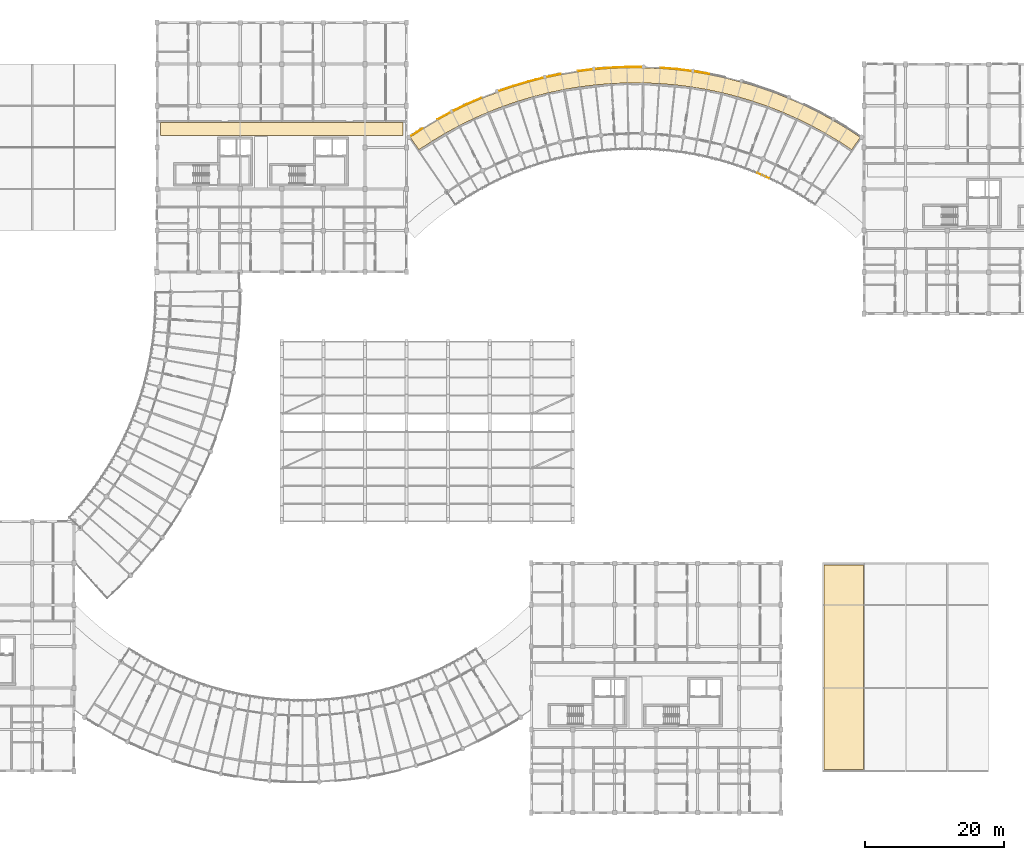
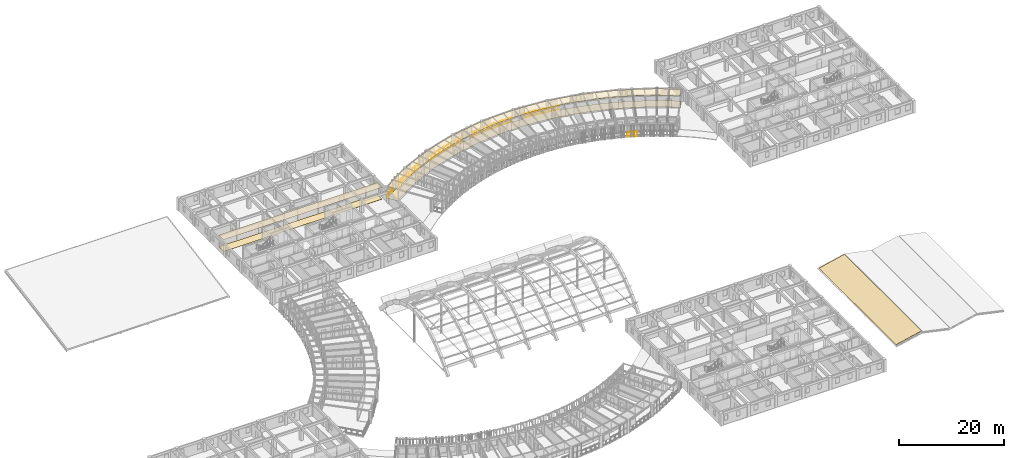
# One storey, part 120 of 123: 16 railings, 5 coverings, 1 element without a shape of its own.
"""IFC4 building model written with IfcOpenShell, lengths in metres."""

from ifc_helpers import new_model, si_unit, direction, frame, origin, origin_2d, place, context, subcontext, project, spatial, polyline, circle, outline, extrude, material, layer, layer_set, type_object, element, aggregate, save


model = new_model("IFC4")

# Units and contexts
model_context = context("Model", 3, precision=1e-05, world=origin(), true_north=direction((0.0, 1.0)))
body_context = subcontext(model_context, "Body", "Model", "MODEL_VIEW")
ifc_project = project(units=[si_unit("LENGTHUNIT", "METRE"), si_unit("AREAUNIT", "SQUARE_METRE"), si_unit("VOLUMEUNIT", "CUBIC_METRE"), si_unit("PLANEANGLEUNIT", "RADIAN"), si_unit("MASSUNIT", "GRAM", prefix="KILO"), si_unit("POWERUNIT", "WATT"), si_unit("THERMODYNAMICTEMPERATUREUNIT", "KELVIN")], contexts=[model_context])

# Site, building, storey
site_placement = place(None, origin())
site = spatial("IfcSite", under=ifc_project, at=site_placement, CompositionType="ELEMENT")
building_placement = place(site_placement, origin())
building = spatial("IfcBuilding", under=site, at=building_placement, Name="Ruvembo Vaulted Housing Court", CompositionType="ELEMENT")
storey_placement = place(building_placement, frame((0.0, 0.0, 7.699951171875)))
storey = spatial("IfcBuildingStorey", under=building, at=storey_placement, Name="L02", CompositionType="ELEMENT", Elevation=7.699951171875)

# Coverings
ifc_material_1 = material(Name="Perforated Mineral-Fibre Acoustic Tile", Category="gypsum")
ifc_layer_1 = layer(ifc_material_1, 0.02001953125, Name="Perforated Mineral-Fibre Acoustic Tile")
ifc_layer_set_1 = layer_set([ifc_layer_1], Name="Perforated Mineral-Fibre Acoustic Tile")
covering_type_1 = type_object("IfcCoveringType", Name="COV-CEIL-ACOUST", PredefinedType="CEILING", material=ifc_layer_set_1)
covering_1_placement = place(storey_placement, frame((0.0, 0.0, 2.75)))
element("IfcCovering", 1, at=covering_1_placement, inside=storey, type_object=covering_type_1, Name="Block B L02 North Sub-Corridor Ceiling", PredefinedType="CEILING", context=body_context, shape_type="SweptSolid", body=[
    extrude(outline(polyline([(48.510009765625, 97.7099609375), (83.489990234375, 97.7099609375), (83.489990234375, 99.590087890625), (48.510009765625, 99.590087890625), (48.510009765625, 97.7099609375)])), origin(), (0.0, 0.0, 1.0), 0.02001953125),
])
covering_2_placement = place(storey_placement, frame((0.0, 0.0, 2.75)))
element("IfcCovering", 2, at=covering_2_placement, inside=storey, type_object=covering_type_1, Name="Scoop SC3 L02 Shaded Access Gallery Ceiling", PredefinedType="CEILING", context=body_context, shape_type="SweptSolid", body=[
    extrude(outline(polyline([(87.599853515625, 96.848876953125), (87.603759765625, 96.851318359375), (89.5693359375, 98.02880859375), (89.5732421875, 98.031005859375), (91.5859375, 99.12548828125), (91.590087890625, 99.127685546875), (93.646484375, 100.137939453125), (93.650634765625, 100.139892578125), (95.747314453125, 101.06396484375), (95.751708984375, 101.065673828125), (97.884765625, 101.90185546875), (97.888916015625, 101.9033203125), (100.054931640625, 102.650390625), (100.059326171875, 102.65185546875), (102.25439453125, 103.30810546875), (102.2587890625, 103.309326171875), (104.4794921875, 103.874267578125), (104.48388671875, 103.875244140625), (106.725830078125, 104.347412109375), (106.73046875, 104.348388671875), (108.990234375, 104.72705078125), (108.99462890625, 104.7275390625), (111.26806640625, 105.01220703125), (111.272705078125, 105.0126953125), (113.55615234375, 105.20263671875), (113.560546875, 105.202880859375), (115.849853515625, 105.298095703125), (115.8544921875, 105.298095703125), (118.1455078125, 105.298095703125), (118.150146484375, 105.298095703125), (120.439453125, 105.202880859375), (120.44384765625, 105.20263671875), (122.727294921875, 105.0126953125), (122.73193359375, 105.01220703125), (125.00537109375, 104.7275390625), (125.009765625, 104.72705078125), (127.26953125, 104.348388671875), (127.274169921875, 104.347412109375), (129.51611328125, 103.875244140625), (129.5205078125, 103.874267578125), (131.7412109375, 103.309326171875), (131.74560546875, 103.30810546875), (133.940673828125, 102.65185546875), (133.945068359375, 102.650390625), (136.111083984375, 101.9033203125), (136.115234375, 101.90185546875), (138.248291015625, 101.065673828125), (138.252685546875, 101.06396484375), (140.349365234375, 100.139892578125), (140.353515625, 100.137939453125), (142.409912109375, 99.127685546875), (142.4140625, 99.12548828125), (144.4267578125, 98.031005859375), (144.4306640625, 98.02880859375), (146.396484375, 96.851318359375), (146.400390625, 96.848876953125), (148.22509765625, 95.650390625), (149.45947265625, 97.447021484375), (147.556884765625, 98.69677734375), (145.509765625, 99.9228515625), (143.41357421875, 101.06298828125), (141.271728515625, 102.114990234375), (139.088134765625, 103.077392578125), (136.866455078125, 103.948486328125), (134.610595703125, 104.726318359375), (132.324462890625, 105.409912109375), (130.01171875, 105.998046875), (127.6767578125, 106.489990234375), (125.3232421875, 106.88427734375), (122.955322265625, 107.1806640625), (120.577392578125, 107.378662109375), (118.193115234375, 107.4775390625), (115.806884765625, 107.4775390625), (113.422607421875, 107.378662109375), (111.044677734375, 107.1806640625), (108.6767578125, 106.88427734375), (106.3232421875, 106.489990234375), (103.98828125, 105.998046875), (101.675537109375, 105.409912109375), (99.389404296875, 104.726318359375), (97.133544921875, 103.948486328125), (94.911865234375, 103.077392578125), (92.728271484375, 102.114990234375), (90.58642578125, 101.06298828125), (88.490234375, 99.9228515625), (86.443115234375, 98.69677734375), (84.54052734375, 97.447021484375), (85.77490234375, 95.650390625), (87.599853515625, 96.848876953125)])), origin(), (0.0, 0.0, 1.0), 0.02001953125),
])
ifc_material_2 = material(Name="Polished Cement-Aggregate Terrazzo", Category="stone")
ifc_layer_2 = layer(ifc_material_2, 0.02197265625, Name="Polished Cement-Aggregate Terrazzo")
ifc_layer_set_2 = layer_set([ifc_layer_2], Name="Polished Cement-Aggregate Terrazzo")
covering_type_2 = type_object("IfcCoveringType", Name="COV-FLR-CERAMIC", PredefinedType="FLOORING", material=ifc_layer_set_2)
covering_3_placement = place(storey_placement, origin())
element("IfcCovering", 3, at=covering_3_placement, inside=storey, type_object=covering_type_2, Name="Block B L02 North Sub-Corridor Flooring", PredefinedType="FLOORING", context=body_context, shape_type="SweptSolid", body=[
    extrude(outline(polyline([(48.510009765625, 97.7099609375), (83.489990234375, 97.7099609375), (83.489990234375, 99.590087890625), (48.510009765625, 99.590087890625), (48.510009765625, 97.7099609375)])), origin(), (0.0, 0.0, 1.0), 0.02197265625),
])
covering_4_placement = place(storey_placement, origin())
element("IfcCovering", 4, at=covering_4_placement, inside=storey, type_object=covering_type_2, Name="Scoop SC3 L02 Shaded Access Gallery Flooring", PredefinedType="FLOORING", context=body_context, shape_type="SweptSolid", body=[
    extrude(outline(polyline([(87.599853515625, 96.848876953125), (87.603759765625, 96.851318359375), (89.5693359375, 98.02880859375), (89.5732421875, 98.031005859375), (91.5859375, 99.12548828125), (91.590087890625, 99.127685546875), (93.646484375, 100.137939453125), (93.650634765625, 100.139892578125), (95.747314453125, 101.06396484375), (95.751708984375, 101.065673828125), (97.884765625, 101.90185546875), (97.888916015625, 101.9033203125), (100.054931640625, 102.650390625), (100.059326171875, 102.65185546875), (102.25439453125, 103.30810546875), (102.2587890625, 103.309326171875), (104.4794921875, 103.874267578125), (104.48388671875, 103.875244140625), (106.725830078125, 104.347412109375), (106.73046875, 104.348388671875), (108.990234375, 104.72705078125), (108.99462890625, 104.7275390625), (111.26806640625, 105.01220703125), (111.272705078125, 105.0126953125), (113.55615234375, 105.20263671875), (113.560546875, 105.202880859375), (115.849853515625, 105.298095703125), (115.8544921875, 105.298095703125), (118.1455078125, 105.298095703125), (118.150146484375, 105.298095703125), (120.439453125, 105.202880859375), (120.44384765625, 105.20263671875), (122.727294921875, 105.0126953125), (122.73193359375, 105.01220703125), (125.00537109375, 104.7275390625), (125.009765625, 104.72705078125), (127.26953125, 104.348388671875), (127.274169921875, 104.347412109375), (129.51611328125, 103.875244140625), (129.5205078125, 103.874267578125), (131.7412109375, 103.309326171875), (131.74560546875, 103.30810546875), (133.940673828125, 102.65185546875), (133.945068359375, 102.650390625), (136.111083984375, 101.9033203125), (136.115234375, 101.90185546875), (138.248291015625, 101.065673828125), (138.252685546875, 101.06396484375), (140.349365234375, 100.139892578125), (140.353515625, 100.137939453125), (142.409912109375, 99.127685546875), (142.4140625, 99.12548828125), (144.4267578125, 98.031005859375), (144.4306640625, 98.02880859375), (146.396484375, 96.851318359375), (146.400390625, 96.848876953125), (148.22509765625, 95.650390625), (149.45947265625, 97.447021484375), (147.556884765625, 98.69677734375), (145.509765625, 99.9228515625), (143.41357421875, 101.06298828125), (141.271728515625, 102.114990234375), (139.088134765625, 103.077392578125), (136.866455078125, 103.948486328125), (134.610595703125, 104.726318359375), (132.324462890625, 105.409912109375), (130.01171875, 105.998046875), (127.6767578125, 106.489990234375), (125.3232421875, 106.88427734375), (122.955322265625, 107.1806640625), (120.577392578125, 107.378662109375), (118.193115234375, 107.4775390625), (115.806884765625, 107.4775390625), (113.422607421875, 107.378662109375), (111.044677734375, 107.1806640625), (108.6767578125, 106.88427734375), (106.3232421875, 106.489990234375), (103.98828125, 105.998046875), (101.675537109375, 105.409912109375), (99.389404296875, 104.726318359375), (97.133544921875, 103.948486328125), (94.911865234375, 103.077392578125), (92.728271484375, 102.114990234375), (90.58642578125, 101.06298828125), (88.490234375, 99.9228515625), (86.443115234375, 98.69677734375), (84.54052734375, 97.447021484375), (85.77490234375, 95.650390625), (87.599853515625, 96.848876953125)])), origin(), (0.0, 0.0, 1.0), 0.02197265625),
])

# Roof, covering
ifc_material_3 = material(Name="Concrete C30/37", Category="concrete")
ifc_layer_3 = layer(ifc_material_3, 0.159912109375, Name="Concrete C30/37")
ifc_layer_set_3 = layer_set([ifc_layer_3], Name="Concrete C30/37")
roof_type = type_object("IfcRoofType", Name="ROOF-GABLE-SHOPS", PredefinedType="GABLE_ROOF", material=ifc_layer_set_3)
roof_placement = place(storey_placement, origin())
roof = element("IfcRoof", 5, at=roof_placement, inside=storey, type_object=roof_type, Name="Shops Pavilion Folded Roof SR-1", PredefinedType="GABLE_ROOF")
ifc_material_4 = material(Name="TPO Waterproofing and Terracotta Tile", Category="masonry")
ifc_layer_4 = layer(ifc_material_4, 0.044921875, Name="TPO Waterproofing and Terracotta Tile")
ifc_layer_set_4 = layer_set([ifc_layer_4], Name="TPO Waterproofing and Terracotta Tile")
covering_type_3 = type_object("IfcCoveringType", Name="COV-ROOF-MEMB", PredefinedType="ROOFING", material=ifc_layer_set_4)
covering_5_placement = place(storey_placement, frame((144.25, 6.25, 0.205078125), z_axis=(-0.22019618396, 0.0, 0.975455606663), x_axis=(0.975455606663, 0.0, 0.22019618396)))
covering_5 = element("IfcCovering", 6, at=covering_5_placement, type_object=covering_type_3, Name="Shops Pavilion Folded Roof Waterproofing Membrane", PredefinedType="ROOFING", context=body_context, shape_type="SweptSolid", body=[
    extrude(outline(polyline([(0.0, 0.0), (5.792065066990324, 0.0), (5.792065066990324, 29.500000000000007), (0.0, 29.500000000000007), (0.0, 0.0)])), origin(), (0.0, 0.0, -1.0), 0.044921875),
])
aggregate(roof, [covering_5])

# Railings
ifc_material_5 = material(Name="Galvanised Painted Steel and Laminated Glass", Category="steel")
ifc_layer_5 = layer(ifc_material_5, 0.070068359375, Name="Galvanised Painted Steel and Laminated Glass")
ifc_layer_set_5 = layer_set([ifc_layer_5], Name="Galvanised Painted Steel and Laminated Glass")
railing_type_1 = type_object("IfcRailingType", Name="RL-BALUST-1120", PredefinedType="BALUSTRADE", material=ifc_layer_set_5)
railing_1_placement = place(storey_placement, frame((84.6787109375, 97.66943359375, 0.0)))
element("IfcRailing", 7, at=railing_1_placement, inside=storey, type_object=railing_type_1, Name="L02 Perimeter Guard RL-EXT-L02-0639", PredefinedType="BALUSTRADE", context=body_context, shape_type="SweptSolid", body=[
    extrude(circle(Radius=0.02392578125, at=origin_2d()), frame((0.0, 0.0, 1.09619140625), z_axis=(0.835822843762, 0.548999247582, 0.0), x_axis=(-0.548999247582, 0.835822843762, 0.0)), (0.0, 0.0, 1.0), 1.990966796875),
    extrude(circle(Radius=0.01806640625, at=origin_2d()), frame((0.0, 0.0, 0.1201171875), z_axis=(0.835822843762, 0.548999247582, 0.0), x_axis=(-0.548999247582, 0.835822843762, 0.0)), (0.0, 0.0, 1.0), 1.990966796875),
    extrude(circle(Radius=0.02099609375, at=origin_2d()), origin(), (0.0, 0.0, 1.0), 1.072021484375),
    extrude(circle(Radius=0.02099609375, at=origin_2d()), frame((0.83203125, 0.54638671875, 0.0)), (0.0, 0.0, 1.0), 1.072021484375),
    extrude(circle(Radius=0.02099609375, at=origin_2d()), frame((1.6640625, 1.093017578125, 0.0)), (0.0, 0.0, 1.0), 1.072021484375),
])
railing_2_placement = place(storey_placement, frame((88.4794921875, 100.042236328125, 0.0)))
element("IfcRailing", 8, at=railing_2_placement, inside=storey, type_object=railing_type_1, Name="L02 Perimeter Guard RL-EXT-L02-0640", PredefinedType="BALUSTRADE", context=body_context, shape_type="SweptSolid", body=[
    extrude(circle(Radius=0.02392578125, at=origin_2d()), frame((0.0, 0.0, 1.09619140625), z_axis=(0.878494737544, 0.477752023656, 0.0), x_axis=(-0.477752023656, 0.878494737544, 0.0)), (0.0, 0.0, 1.0), 1.990966796875),
    extrude(circle(Radius=0.01806640625, at=origin_2d()), frame((0.0, 0.0, 0.1201171875), z_axis=(0.878494737544, 0.477752023656, 0.0), x_axis=(-0.477752023656, 0.878494737544, 0.0)), (0.0, 0.0, 1.0), 1.990966796875),
    extrude(circle(Radius=0.02099609375, at=origin_2d()), origin(), (0.0, 0.0, 1.0), 1.072021484375),
    extrude(circle(Radius=0.02099609375, at=origin_2d()), frame((0.87451171875, 0.4755859375, 0.0)), (0.0, 0.0, 1.0), 1.072021484375),
    extrude(circle(Radius=0.02099609375, at=origin_2d()), frame((1.7490234375, 0.951171875, 0.0)), (0.0, 0.0, 1.0), 1.072021484375),
])
railing_3_placement = place(storey_placement, frame((90.85009765625, 101.31494140625, 0.0)))
element("IfcRailing", 9, at=railing_3_placement, inside=storey, type_object=railing_type_1, Name="L02 Perimeter Guard RL-EXT-L02-0641", PredefinedType="BALUSTRADE", context=body_context, shape_type="SweptSolid", body=[
    extrude(circle(Radius=0.02392578125, at=origin_2d()), frame((0.0, 0.0, 1.09619140625), z_axis=(0.897520268648, 0.440973204817, 0.0), x_axis=(-0.440973204817, 0.897520268648, 0.0)), (0.0, 0.0, 1.0), 1.990966796875),
    extrude(circle(Radius=0.01806640625, at=origin_2d()), frame((0.0, 0.0, 0.1201171875), z_axis=(0.897520268648, 0.440973204817, 0.0), x_axis=(-0.440973204817, 0.897520268648, 0.0)), (0.0, 0.0, 1.0), 1.990966796875),
    extrude(circle(Radius=0.02099609375, at=origin_2d()), origin(), (0.0, 0.0, 1.0), 1.072021484375),
    extrude(circle(Radius=0.02099609375, at=origin_2d()), frame((0.8935546875, 0.43896484375, 0.0)), (0.0, 0.0, 1.0), 1.072021484375),
    extrude(circle(Radius=0.02099609375, at=origin_2d()), frame((1.786865234375, 0.8779296875, 0.0)), (0.0, 0.0, 1.0), 1.072021484375),
])
railing_4_placement = place(storey_placement, frame((92.7275390625, 102.235107421875, 0.0)))
element("IfcRailing", 10, at=railing_4_placement, inside=storey, type_object=railing_type_1, Name="L02 Perimeter Guard RL-EXT-L02-0642", PredefinedType="BALUSTRADE", context=body_context, shape_type="SweptSolid", body=[
    extrude(circle(Radius=0.02392578125, at=origin_2d()), frame((0.0, 0.0, 1.09619140625), z_axis=(0.915112182251, 0.403199322788, 0.0), x_axis=(-0.403199322788, 0.915112182251, 0.0)), (0.0, 0.0, 1.0), 2.29052734375),
    extrude(circle(Radius=0.01806640625, at=origin_2d()), frame((0.0, 0.0, 0.1201171875), z_axis=(0.915112182251, 0.403199322788, 0.0), x_axis=(-0.403199322788, 0.915112182251, 0.0)), (0.0, 0.0, 1.0), 2.29052734375),
    extrude(circle(Radius=0.02099609375, at=origin_2d()), origin(), (0.0, 0.0, 1.0), 1.072021484375),
    extrude(circle(Radius=0.02099609375, at=origin_2d()), frame((1.048095703125, 0.4619140625, 0.0)), (0.0, 0.0, 1.0), 1.072021484375),
    extrude(circle(Radius=0.02099609375, at=origin_2d()), frame((2.09619140625, 0.923583984375, 0.0)), (0.0, 0.0, 1.0), 1.072021484375),
])
railing_5_placement = place(storey_placement, frame((97.426513671875, 104.165771484375, 0.0)))
element("IfcRailing", 11, at=railing_5_placement, inside=storey, type_object=railing_type_1, Name="L02 Perimeter Guard RL-EXT-L02-0643", PredefinedType="BALUSTRADE", context=body_context, shape_type="SweptSolid", body=[
    extrude(circle(Radius=0.02392578125, at=origin_2d()), frame((0.0, 0.0, 1.09619140625), z_axis=(0.945370374838, 0.325998242906, 0.0), x_axis=(-0.325998242906, 0.945370374838, 0.0)), (0.0, 0.0, 1.0), 1.990478515625),
    extrude(circle(Radius=0.01806640625, at=origin_2d()), frame((0.0, 0.0, 0.1201171875), z_axis=(0.945370374838, 0.325998242906, 0.0), x_axis=(-0.325998242906, 0.945370374838, 0.0)), (0.0, 0.0, 1.0), 1.990478515625),
    extrude(circle(Radius=0.02099609375, at=origin_2d()), origin(), (0.0, 0.0, 1.0), 1.072021484375),
    extrude(circle(Radius=0.02099609375, at=origin_2d()), frame((0.94091796875, 0.324462890625, 0.0)), (0.0, 0.0, 1.0), 1.072021484375),
    extrude(circle(Radius=0.02099609375, at=origin_2d()), frame((1.8818359375, 0.64892578125, 0.0)), (0.0, 0.0, 1.0), 1.072021484375),
])
railing_6_placement = place(storey_placement, frame((99.403564453125, 104.84521484375, 0.0)))
element("IfcRailing", 12, at=railing_6_placement, inside=storey, type_object=railing_type_1, Name="L02 Perimeter Guard RL-EXT-L02-0644", PredefinedType="BALUSTRADE", context=body_context, shape_type="SweptSolid", body=[
    extrude(circle(Radius=0.02392578125, at=origin_2d()), frame((0.0, 0.0, 1.09619140625), z_axis=(0.958060614502, 0.28656562763, 0.0), x_axis=(-0.28656562763, 0.958060614502, 0.0)), (0.0, 0.0, 1.0), 2.291015625),
    extrude(circle(Radius=0.01806640625, at=origin_2d()), frame((0.0, 0.0, 0.1201171875), z_axis=(0.958060614502, 0.28656562763, 0.0), x_axis=(-0.28656562763, 0.958060614502, 0.0)), (0.0, 0.0, 1.0), 2.291015625),
    extrude(circle(Radius=0.02099609375, at=origin_2d()), origin(), (0.0, 0.0, 1.0), 1.072021484375),
    extrude(circle(Radius=0.02099609375, at=origin_2d()), frame((1.097412109375, 0.328125, 0.0)), (0.0, 0.0, 1.0), 1.072021484375),
    extrude(circle(Radius=0.02099609375, at=origin_2d()), frame((2.19482421875, 0.656494140625, 0.0)), (0.0, 0.0, 1.0), 1.072021484375),
])
railing_7_placement = place(storey_placement, frame((101.69482421875, 105.5283203125, 0.0)))
element("IfcRailing", 13, at=railing_7_placement, inside=storey, type_object=railing_type_1, Name="L02 Perimeter Guard RL-EXT-L02-0645", PredefinedType="BALUSTRADE", context=body_context, shape_type="SweptSolid", body=[
    extrude(circle(Radius=0.02392578125, at=origin_2d()), frame((0.0, 0.0, 1.09619140625), z_axis=(0.969146191612, 0.246486631044, 0.0), x_axis=(-0.246486631044, 0.969146191612, 0.0)), (0.0, 0.0, 1.0), 1.990966796875),
    extrude(circle(Radius=0.01806640625, at=origin_2d()), frame((0.0, 0.0, 0.1201171875), z_axis=(0.969146191612, 0.246486631044, 0.0), x_axis=(-0.246486631044, 0.969146191612, 0.0)), (0.0, 0.0, 1.0), 1.990966796875),
    extrude(circle(Radius=0.02099609375, at=origin_2d()), origin(), (0.0, 0.0, 1.0), 1.072021484375),
    extrude(circle(Radius=0.02099609375, at=origin_2d()), frame((0.96484375, 0.245361328125, 0.0)), (0.0, 0.0, 1.0), 1.072021484375),
    extrude(circle(Radius=0.02099609375, at=origin_2d()), frame((1.929443359375, 0.49072265625, 0.0)), (0.0, 0.0, 1.0), 1.072021484375),
])
railing_8_placement = place(storey_placement, frame((104.305908203125, 106.177490234375, 0.0)))
element("IfcRailing", 14, at=railing_8_placement, inside=storey, type_object=railing_type_1, Name="L02 Perimeter Guard RL-EXT-L02-0646", PredefinedType="BALUSTRADE", context=body_context, shape_type="SweptSolid", body=[
    extrude(circle(Radius=0.02392578125, at=origin_2d()), frame((0.0, 0.0, 1.09619140625), z_axis=(0.978544579794, 0.206035204168, 0.0), x_axis=(-0.206035204168, 0.978544579794, 0.0)), (0.0, 0.0, 1.0), 1.99072265625),
    extrude(circle(Radius=0.01806640625, at=origin_2d()), frame((0.0, 0.0, 0.1201171875), z_axis=(0.978544579794, 0.206035204168, 0.0), x_axis=(-0.206035204168, 0.978544579794, 0.0)), (0.0, 0.0, 1.0), 1.99072265625),
    extrude(circle(Radius=0.02099609375, at=origin_2d()), origin(), (0.0, 0.0, 1.0), 1.072021484375),
    extrude(circle(Radius=0.02099609375, at=origin_2d()), frame((0.97412109375, 0.205078125, 0.0)), (0.0, 0.0, 1.0), 1.072021484375),
    extrude(circle(Radius=0.02099609375, at=origin_2d()), frame((1.947998046875, 0.41015625, 0.0)), (0.0, 0.0, 1.0), 1.072021484375),
])
railing_9_placement = place(storey_placement, frame((108.71044921875, 106.99951171875, 0.0)))
element("IfcRailing", 15, at=railing_9_placement, inside=storey, type_object=railing_type_1, Name="L02 Perimeter Guard RL-EXT-L02-0647", PredefinedType="BALUSTRADE", context=body_context, shape_type="SweptSolid", body=[
    extrude(circle(Radius=0.02392578125, at=origin_2d()), frame((0.0, 0.0, 1.09619140625), z_axis=(0.99226844011, 0.124110204102, 0.0), x_axis=(-0.124110204102, 0.99226844011, 0.0)), (0.0, 0.0, 1.0), 1.99072265625),
    extrude(circle(Radius=0.01806640625, at=origin_2d()), frame((0.0, 0.0, 0.1201171875), z_axis=(0.99226844011, 0.124110204102, 0.0), x_axis=(-0.124110204102, 0.99226844011, 0.0)), (0.0, 0.0, 1.0), 1.99072265625),
    extrude(circle(Radius=0.02099609375, at=origin_2d()), origin(), (0.0, 0.0, 1.0), 1.072021484375),
    extrude(circle(Radius=0.02099609375, at=origin_2d()), frame((0.98779296875, 0.12353515625, 0.0)), (0.0, 0.0, 1.0), 1.072021484375),
    extrude(circle(Radius=0.02099609375, at=origin_2d()), frame((1.975341796875, 0.2470703125, 0.0)), (0.0, 0.0, 1.0), 1.072021484375),
])
railing_10_placement = place(storey_placement, frame((111.382080078125, 107.319091796875, 0.0)))
element("IfcRailing", 16, at=railing_10_placement, inside=storey, type_object=railing_type_1, Name="L02 Perimeter Guard RL-EXT-L02-0648", PredefinedType="BALUSTRADE", context=body_context, shape_type="SweptSolid", body=[
    extrude(circle(Radius=0.02392578125, at=origin_2d()), frame((0.0, 0.0, 1.09619140625), z_axis=(0.996547449582, 0.083025181315, 0.0), x_axis=(-0.083025181315, 0.996547449582, 0.0)), (0.0, 0.0, 1.0), 1.99072265625),
    extrude(circle(Radius=0.01806640625, at=origin_2d()), frame((0.0, 0.0, 0.1201171875), z_axis=(0.996547449582, 0.083025181315, 0.0), x_axis=(-0.083025181315, 0.996547449582, 0.0)), (0.0, 0.0, 1.0), 1.99072265625),
    extrude(circle(Radius=0.02099609375, at=origin_2d()), origin(), (0.0, 0.0, 1.0), 1.072021484375),
    extrude(circle(Radius=0.02099609375, at=origin_2d()), frame((0.991943359375, 0.08251953125, 0.0)), (0.0, 0.0, 1.0), 1.072021484375),
    extrude(circle(Radius=0.02099609375, at=origin_2d()), frame((1.98388671875, 0.165283203125, 0.0)), (0.0, 0.0, 1.0), 1.072021484375),
])
railing_11_placement = place(storey_placement, frame((113.4658203125, 107.490478515625, 0.0)))
element("IfcRailing", 17, at=railing_11_placement, inside=storey, type_object=railing_type_1, Name="L02 Perimeter Guard RL-EXT-L02-0649", PredefinedType="BALUSTRADE", context=body_context, shape_type="SweptSolid", body=[
    extrude(circle(Radius=0.02392578125, at=origin_2d()), frame((0.0, 0.0, 1.09619140625), z_axis=(0.999140261642, 0.041457659923, 0.0), x_axis=(-0.041457659923, 0.999140261642, 0.0)), (0.0, 0.0, 1.0), 2.290771484375),
    extrude(circle(Radius=0.01806640625, at=origin_2d()), frame((0.0, 0.0, 0.1201171875), z_axis=(0.999140261642, 0.041457659923, 0.0), x_axis=(-0.041457659923, 0.999140261642, 0.0)), (0.0, 0.0, 1.0), 2.290771484375),
    extrude(circle(Radius=0.02099609375, at=origin_2d()), origin(), (0.0, 0.0, 1.0), 1.072021484375),
    extrude(circle(Radius=0.02099609375, at=origin_2d()), frame((1.14453125, 0.04736328125, 0.0)), (0.0, 0.0, 1.0), 1.072021484375),
    extrude(circle(Radius=0.02099609375, at=origin_2d()), frame((2.288818359375, 0.094970703125, 0.0)), (0.0, 0.0, 1.0), 1.072021484375),
])
railing_12_placement = place(storey_placement, frame((115.8544921875, 107.587646484375, 0.0)))
element("IfcRailing", 18, at=railing_12_placement, inside=storey, type_object=railing_type_1, Name="L02 Perimeter Guard RL-EXT-L02-0650", PredefinedType="BALUSTRADE", context=body_context, shape_type="SweptSolid", body=[
    extrude(circle(Radius=0.02392578125, at=origin_2d()), frame((0.0, 0.0, 1.09619140625), z_axis=(1.0, 0.0, 0.0), x_axis=(0.0, 1.0, 0.0)), (0.0, 0.0, 1.0), 1.990966796875),
    extrude(circle(Radius=0.01806640625, at=origin_2d()), frame((0.0, 0.0, 0.1201171875), z_axis=(1.0, 0.0, 0.0), x_axis=(0.0, 1.0, 0.0)), (0.0, 0.0, 1.0), 1.990966796875),
    extrude(circle(Radius=0.02099609375, at=origin_2d()), origin(), (0.0, 0.0, 1.0), 1.072021484375),
    extrude(circle(Radius=0.02099609375, at=origin_2d()), frame((0.99560546875, 0.0, 0.0)), (0.0, 0.0, 1.0), 1.072021484375),
    extrude(circle(Radius=0.02099609375, at=origin_2d()), frame((1.990966796875, 0.0, 0.0)), (0.0, 0.0, 1.0), 1.072021484375),
])
railing_13_placement = place(storey_placement, frame((120.634033203125, 107.484375, 0.0)))
element("IfcRailing", 19, at=railing_13_placement, inside=storey, type_object=railing_type_1, Name="L02 Perimeter Guard RL-EXT-L02-0651", PredefinedType="BALUSTRADE", context=body_context, shape_type="SweptSolid", body=[
    extrude(circle(Radius=0.02392578125, at=origin_2d()), frame((0.0, 0.0, 1.09619140625), z_axis=(0.996547962816, -0.08301902075, 0.0), x_axis=(0.08301902075, 0.996547962816, 0.0)), (0.0, 0.0, 1.0), 2.290771484375),
    extrude(circle(Radius=0.01806640625, at=origin_2d()), frame((0.0, 0.0, 0.1201171875), z_axis=(0.996547962816, -0.08301902075, 0.0), x_axis=(0.08301902075, 0.996547962816, 0.0)), (0.0, 0.0, 1.0), 2.290771484375),
    extrude(circle(Radius=0.02099609375, at=origin_2d()), origin(), (0.0, 0.0, 1.0), 1.072021484375),
    extrude(circle(Radius=0.02099609375, at=origin_2d()), frame((1.1416015625, -0.09521484375, 0.0)), (0.0, 0.0, 1.0), 1.072021484375),
    extrude(circle(Radius=0.02099609375, at=origin_2d()), frame((2.282958984375, -0.190185546875, 0.0)), (0.0, 0.0, 1.0), 1.072021484375),
])
railing_14_placement = place(storey_placement, frame((123.016357421875, 107.283935546875, 0.0)))
element("IfcRailing", 20, at=railing_14_placement, inside=storey, type_object=railing_type_1, Name="L02 Perimeter Guard RL-EXT-L02-0652", PredefinedType="BALUSTRADE", context=body_context, shape_type="SweptSolid", body=[
    extrude(circle(Radius=0.02392578125, at=origin_2d()), frame((0.0, 0.0, 1.09619140625), z_axis=(0.992253329978, -0.124230950843, 0.0), x_axis=(0.124230950843, 0.992253329978, 0.0)), (0.0, 0.0, 1.0), 1.99072265625),
    extrude(circle(Radius=0.01806640625, at=origin_2d()), frame((0.0, 0.0, 0.1201171875), z_axis=(0.992253329978, -0.124230950843, 0.0), x_axis=(0.124230950843, 0.992253329978, 0.0)), (0.0, 0.0, 1.0), 1.99072265625),
    extrude(circle(Radius=0.02099609375, at=origin_2d()), origin(), (0.0, 0.0, 1.0), 1.072021484375),
    extrude(circle(Radius=0.02099609375, at=origin_2d()), frame((0.98779296875, -0.12353515625, 0.0)), (0.0, 0.0, 1.0), 1.072021484375),
    extrude(circle(Radius=0.02099609375, at=origin_2d()), frame((1.975341796875, -0.247314453125, 0.0)), (0.0, 0.0, 1.0), 1.072021484375),
])
railing_15_placement = place(storey_placement, frame((125.684326171875, 106.935302734375, 0.0)))
element("IfcRailing", 21, at=railing_15_placement, inside=storey, type_object=railing_type_1, Name="L02 Perimeter Guard RL-EXT-L02-0653", PredefinedType="BALUSTRADE", context=body_context, shape_type="SweptSolid", body=[
    extrude(circle(Radius=0.02392578125, at=origin_2d()), frame((0.0, 0.0, 1.09619140625), z_axis=(0.986241032893, -0.165313717028, 0.0), x_axis=(0.165313717028, 0.986241032893, 0.0)), (0.0, 0.0, 1.0), 1.99072265625),
    extrude(circle(Radius=0.01806640625, at=origin_2d()), frame((0.0, 0.0, 0.1201171875), z_axis=(0.986241032893, -0.165313717028, 0.0), x_axis=(0.165313717028, 0.986241032893, 0.0)), (0.0, 0.0, 1.0), 1.99072265625),
    extrude(circle(Radius=0.02099609375, at=origin_2d()), origin(), (0.0, 0.0, 1.0), 1.072021484375),
    extrude(circle(Radius=0.02099609375, at=origin_2d()), frame((0.981689453125, -0.16455078125, 0.0)), (0.0, 0.0, 1.0), 1.072021484375),
    extrude(circle(Radius=0.02099609375, at=origin_2d()), frame((1.96337890625, -0.3291015625, 0.0)), (0.0, 0.0, 1.0), 1.072021484375),
])
ifc_material_6 = material(Name="Galvanised Painted Steel S275", Category="steel")
ifc_layer_6 = layer(ifc_material_6, 0.06005859375, Name="Galvanised Painted Steel S275")
ifc_layer_set_6 = layer_set([ifc_layer_6], Name="Galvanised Painted Steel S275")
railing_type_2 = type_object("IfcRailingType", Name="RL-GUARD-1100", PredefinedType="GUARDRAIL", material=ifc_layer_set_6)
railing_16_placement = place(storey_placement, frame((134.5966796875, 92.28466796875, 0.0)))
element("IfcRailing", 22, at=railing_16_placement, inside=storey, type_object=railing_type_2, Name="L02 Perimeter Guard RL-EXT-L02-0633", PredefinedType="GUARDRAIL", context=body_context, shape_type="SweptSolid", body=[
    extrude(circle(Radius=0.02392578125, at=origin_2d()), frame((0.0, 0.0, 1.076171875), z_axis=(0.91507815309, -0.403276547467, 0.0), x_axis=(0.403276547467, 0.91507815309, 0.0)), (0.0, 0.0, 1.0), 1.90087890625),
    extrude(circle(Radius=0.01806640625, at=origin_2d()), frame((0.0, 0.0, 0.1201171875), z_axis=(0.91507815309, -0.403276547467, 0.0), x_axis=(0.403276547467, 0.91507815309, 0.0)), (0.0, 0.0, 1.0), 1.90087890625),
    extrude(circle(Radius=0.02099609375, at=origin_2d()), origin(), (0.0, 0.0, 1.0), 1.052001953125),
    extrude(circle(Radius=0.02099609375, at=origin_2d()), frame((0.86962890625, -0.38330078125, 0.0)), (0.0, 0.0, 1.0), 1.052001953125),
    extrude(circle(Radius=0.02099609375, at=origin_2d()), frame((1.739501953125, -0.7666015625, 0.0)), (0.0, 0.0, 1.0), 1.052001953125),
])

save(model, "model.ifc")
